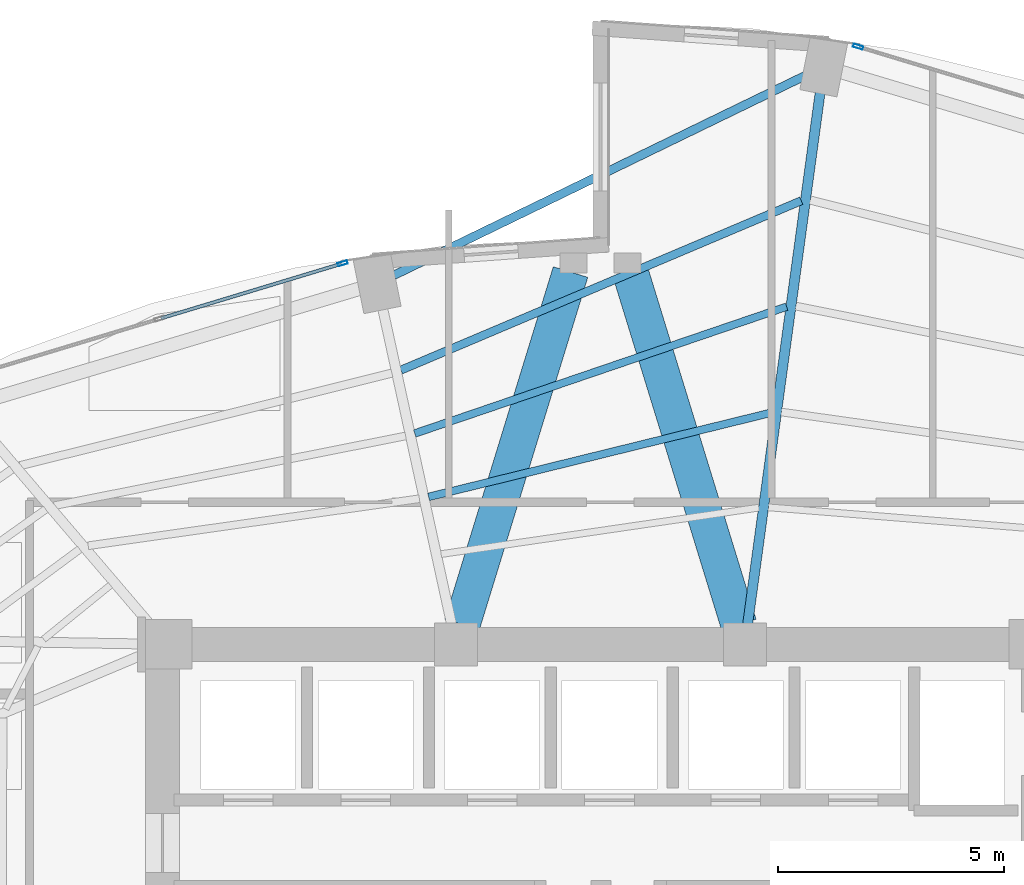
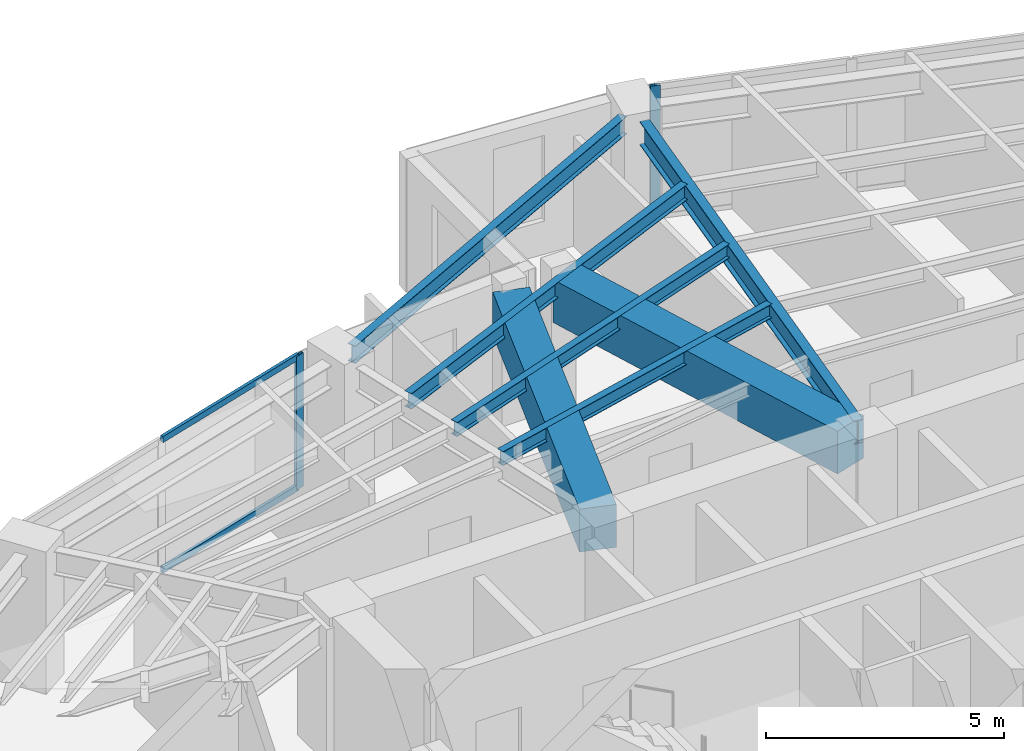
# One storey, part 15 of 23: 7 beams, 4 members, 2 elements without a shape of their own.
"""IFC4 building model written with IfcOpenShell, lengths in metres."""

from ifc_helpers import new_model, si_unit, direction, frame, origin, origin_2d, place, context, subcontext, project, spatial, rectangle, hollow_rectangle, i_section, extrude, material, layer, layer_set, material_profile, profile_set, type_object, element, aggregate, save


model = new_model("IFC4")

# Units and contexts
model_context = context("Model", 3, precision=1e-05, world=origin(), true_north=direction((0.0, 1.0)))
body_context = subcontext(model_context, "Body", "Model", "MODEL_VIEW")
ifc_project = project(units=[si_unit("LENGTHUNIT", "METRE"), si_unit("AREAUNIT", "SQUARE_METRE"), si_unit("VOLUMEUNIT", "CUBIC_METRE"), si_unit("PLANEANGLEUNIT", "RADIAN"), si_unit("MASSUNIT", "GRAM", prefix="KILO")], contexts=[model_context])

# Site, building, storey
site_placement = place(None, origin())
site = spatial("IfcSite", under=ifc_project, at=site_placement, CompositionType="ELEMENT")
building_placement = place(site_placement, origin())
building = spatial("IfcBuilding", under=site, at=building_placement, Name="Lazwardi Medical Tower", CompositionType="ELEMENT")
storey_placement = place(building_placement, frame((0.0, 0.0, 89.0400390625)))
storey = spatial("IfcBuildingStorey", under=building, at=storey_placement, Name="L22", CompositionType="ELEMENT", Elevation=89.0400390625)

# Beams
ifc_material_1 = material(Name="Concrete C70/85", Category="concrete")
ifc_material_profile_1 = material_profile(ifc_material_1, rectangle(XDim=0.800048828125, YDim=1.10009765625, at=origin_2d()), Name="RC 800x1100")
ifc_profile_set_1 = profile_set([ifc_material_profile_1], Name="Concrete C70/85")
beam_type_1 = type_object("IfcBeamType", Name="BM-CB-RC1", PredefinedType="LINTEL", material=ifc_profile_set_1)
for number, where, z_axis, x_axis, name in (
    (1, (32.935302734375, 36.039794921875, 2.8779296875), (0.294073251002, 0.955782884888, 0.0), (-0.955782884888, 0.294073251002, 0.0), "Core coupling lintel CB-01 PL1 L22"),
    (2, (39.064697265625, 36.039794921875, 2.8779296875), (-0.294073251002, 0.955782884888, 0.0), (-0.955782884888, -0.294073251002, 0.0), "Core coupling lintel CB-01 PL2 L22"),
):
    element("IfcBeam", number, at=place(storey_placement, frame(where, z_axis=z_axis, x_axis=x_axis)), inside=storey, type_object=beam_type_1, Name=name, PredefinedType="LINTEL", context=body_context, shape_type="SweptSolid", body=[
        extrude(rectangle(XDim=0.800048828125, YDim=1.10009765625, at=origin_2d()), origin(), (0.0, 0.0, 1.0), 8.1708984375),
    ])
ifc_material_2 = material(Name="Steel S355", Category="steel")
ifc_material_profile_2 = material_profile(ifc_material_2, i_section(OverallWidth=0.219970703125, OverallDepth=0.60009765625, WebThickness=0.011962890625, FlangeThickness=0.01904296875, at=origin_2d()), Name="IPE 600")
ifc_profile_set_2 = profile_set([ifc_material_profile_2], Name="Steel S355")
beam_type_2 = type_object("IfcBeamType", Name="BM-RG-W1", PredefinedType="BEAM", material=ifc_profile_set_2)
beam_1_placement = place(storey_placement, frame((40.8671875, 47.82275390625, 3.1279296875), z_axis=(-0.135147148002, -0.990825538825, 0.0), x_axis=(0.990825538825, -0.135147148002, 0.0)))
element("IfcBeam", 3, at=beam_1_placement, inside=storey, type_object=beam_type_2, Name="Radial girder RG-02 R08 L22", PredefinedType="BEAM", context=body_context, shape_type="SweptSolid", body=[
    extrude(i_section(OverallWidth=0.219970703125, OverallDepth=0.60009765625, WebThickness=0.011962890625, FlangeThickness=0.01904296875, at=origin_2d()), origin(), (0.0, 0.0, 1.0), 11.875732421875),
])
ifc_material_profile_3 = material_profile(ifc_material_2, i_section(OverallWidth=0.179931640625, OverallDepth=0.39990234375, WebThickness=0.008544921875, FlangeThickness=0.013427734375, at=origin_2d()), Name="IPE 400")
ifc_profile_set_3 = profile_set([ifc_material_profile_3], Name="Steel S355")
beam_type_3 = type_object("IfcBeamType", Name="BM-SJ-01", PredefinedType="JOIST", material=ifc_profile_set_3)
beam_2_placement = place(storey_placement, frame((40.449462890625, 45.428466796875, 3.22802734375), z_axis=(-0.920947307957, -0.389687125739, 0.0), x_axis=(0.389687125739, -0.920947307957, 0.0)))
element("IfcBeam", 4, at=beam_2_placement, inside=storey, type_object=beam_type_3, Name="Secondary joist SJ-01 R1 B08 L22", PredefinedType="JOIST", context=body_context, shape_type="SweptSolid", body=[
    extrude(i_section(OverallWidth=0.179931640625, OverallDepth=0.39990234375, WebThickness=0.008544921875, FlangeThickness=0.013427734375, at=origin_2d()), origin(), (0.0, 0.0, 1.0), 9.63134765625),
])
ifc_material_profile_4 = material_profile(ifc_material_2, i_section(OverallWidth=0.169921875, OverallDepth=0.360107421875, WebThickness=0.008056640625, FlangeThickness=0.0126953125, at=origin_2d()), Name="IPE 360")
ifc_profile_set_4 = profile_set([ifc_material_profile_4], Name="Steel S355")
beam_type_4 = type_object("IfcBeamType", Name="BM-SJ-02", PredefinedType="JOIST", material=ifc_profile_set_4)
beam_3_placement = place(storey_placement, frame((40.125732421875, 43.08203125, 3.248046875), z_axis=(-0.946467154368, -0.322800132749, 0.0), x_axis=(0.322800132749, -0.946467154368, 0.0)))
element("IfcBeam", 5, at=beam_3_placement, inside=storey, type_object=beam_type_4, Name="Secondary joist SJ-02 R2 B08 L22", PredefinedType="JOIST", context=body_context, shape_type="SweptSolid", body=[
    extrude(i_section(OverallWidth=0.169921875, OverallDepth=0.360107421875, WebThickness=0.008056640625, FlangeThickness=0.0126953125, at=origin_2d()), origin(), (0.0, 0.0, 1.0), 8.70458984375),
])
beam_4_placement = place(storey_placement, frame((39.80224609375, 40.737548828125, 3.248046875), z_axis=(-0.97107737879, -0.238764998276, 0.0), x_axis=(0.238764998276, -0.97107737879, 0.0)))
element("IfcBeam", 6, at=beam_4_placement, inside=storey, type_object=beam_type_4, Name="Secondary joist SJ-02 R3 B08 L22", PredefinedType="JOIST", context=body_context, shape_type="SweptSolid", body=[
    extrude(i_section(OverallWidth=0.169921875, OverallDepth=0.360107421875, WebThickness=0.008056640625, FlangeThickness=0.0126953125, at=origin_2d()), origin(), (0.0, 0.0, 1.0), 7.83447265625),
])
ifc_material_profile_5 = material_profile(ifc_material_2, i_section(OverallWidth=0.18994140625, OverallDepth=0.449951171875, WebThickness=0.009521484375, FlangeThickness=0.0146484375, at=origin_2d()), Name="IPE 450")
ifc_profile_set_5 = profile_set([ifc_material_profile_5], Name="Steel S355")
beam_type_5 = type_object("IfcBeamType", Name="BM-SP-01", PredefinedType="SPANDREL", material=ifc_profile_set_5)
beam_5_placement = place(storey_placement, frame((40.57666015625, 48.218505859375, 3.202880859375), z_axis=(-0.899653336227, -0.436604941125, 0.0), x_axis=(0.436604941125, -0.899653336227, 0.0)))
element("IfcBeam", 7, at=beam_5_placement, inside=storey, type_object=beam_type_5, Name="Spandrel beam SP-01 B08 L22", PredefinedType="SPANDREL", context=body_context, shape_type="SweptSolid", body=[
    extrude(i_section(OverallWidth=0.18994140625, OverallDepth=0.449951171875, WebThickness=0.009521484375, FlangeThickness=0.0146484375, at=origin_2d()), origin(), (0.0, 0.0, 1.0), 10.17431640625),
])

# Curtain wall, member
ifc_material_3 = material(Name="Anodised bronze aluminium and solar control glazing", Category="aluminium")
ifc_layer = layer(ifc_material_3, 0.195068359375)
ifc_layer_set = layer_set([ifc_layer], Name="Anodised bronze aluminium and solar control glazing")
curtain_wall_type = type_object("IfcCurtainWallType", Name="CW-SYS-03", PredefinedType="NOTDEFINED", material=ifc_layer_set)
curtain_wall_1_placement = place(storey_placement, origin())
curtain_wall_1 = element("IfcCurtainWall", 8, at=curtain_wall_1_placement, inside=storey, type_object=curtain_wall_type, Name="L22 Unitised bronze curtain wall CW-03", PredefinedType="NOTDEFINED")
ifc_material_4 = material(Name="Anodised bronze aluminium", Category="aluminium")
ifc_material_profile_6 = material_profile(ifc_material_4, hollow_rectangle(XDim=0.074951171875, YDim=0.219970703125, WallThickness=0.00390625, at=origin_2d()), Name="ALU-MULLION 220x75x4")
ifc_profile_set_6 = profile_set([ifc_material_profile_6], Name="Anodised bronze aluminium")
member_type_1 = type_object("IfcMemberType", Name="CW-MUL-01", PredefinedType="MULLION", material=ifc_profile_set_6)
member_1_placement = place(storey_placement, frame((41.710205078125, 48.840087890625, 0.0), z_axis=(0.0, 0.0, 1.0), x_axis=(-0.28937381157, -0.957216170558, 0.0)))
member_1 = element("IfcMember", 9, at=member_1_placement, type_object=member_type_1, Name="CW-03 mullion 3", PredefinedType="MULLION", context=body_context, shape_type="SweptSolid", body=[
    extrude(hollow_rectangle(XDim=0.074951171875, YDim=0.219970703125, WallThickness=0.00390625, at=origin_2d()), origin(), (0.0, 0.0, 1.0), 3.427978515625),
])
aggregate(curtain_wall_1, [member_1])

# Curtain wall, members
curtain_wall_2_placement = place(storey_placement, origin())
curtain_wall_2 = element("IfcCurtainWall", 10, at=curtain_wall_2_placement, inside=storey, type_object=curtain_wall_type, Name="L22 Unitised bronze curtain wall CW-03", PredefinedType="NOTDEFINED")
member_2_placement = place(storey_placement, frame((30.289794921875, 44.0400390625, 0.0), z_axis=(0.0, 0.0, 1.0), x_axis=(0.28937381157, -0.957216170558, 0.0)))
member_2 = element("IfcMember", 11, at=member_2_placement, type_object=member_type_1, Name="CW-03 mullion 1", PredefinedType="MULLION", context=body_context, shape_type="SweptSolid", body=[
    extrude(hollow_rectangle(XDim=0.074951171875, YDim=0.219970703125, WallThickness=0.00390625, at=origin_2d()), origin(), (0.0, 0.0, 1.0), 3.427978515625),
])
ifc_material_profile_7 = material_profile(ifc_material_4, hollow_rectangle(XDim=0.074951171875, YDim=0.159912109375, WallThickness=0.00390625, at=origin_2d()), Name="ALU-TRANSOM 160x75x4")
ifc_profile_set_7 = profile_set([ifc_material_profile_7], Name="Anodised bronze aluminium")
member_type_2 = type_object("IfcMemberType", Name="CW-TRN-01", PredefinedType="USERDEFINED", material=ifc_profile_set_7)
member_3_placement = place(storey_placement, frame((30.25390625, 44.029296875, 0.037353515625), z_axis=(-0.957220865985, -0.289358279168, 0.0), x_axis=(0.289358279168, -0.957220865985, 0.0)))
member_3 = element("IfcMember", 12, at=member_3_placement, type_object=member_type_2, Name="CW-03 transom 1.1", ObjectType="TRANSOM", PredefinedType="USERDEFINED", context=body_context, shape_type="SweptSolid", body=[
    extrude(hollow_rectangle(XDim=0.074951171875, YDim=0.159912109375, WallThickness=0.00390625, at=origin_2d()), origin(), (0.0, 0.0, 1.0), 4.16552734375),
])
member_4_placement = place(storey_placement, frame((30.25390625, 44.029296875, 3.390380859375), z_axis=(-0.957220865985, -0.289358279168, 0.0), x_axis=(0.289358279168, -0.957220865985, 0.0)))
member_4 = element("IfcMember", 13, at=member_4_placement, type_object=member_type_2, Name="CW-03 transom 1.2", ObjectType="TRANSOM", PredefinedType="USERDEFINED", context=body_context, shape_type="SweptSolid", body=[
    extrude(hollow_rectangle(XDim=0.074951171875, YDim=0.159912109375, WallThickness=0.00390625, at=origin_2d()), origin(), (0.0, 0.0, 1.0), 4.16552734375),
])
aggregate(curtain_wall_2, [member_2, member_3, member_4])

save(model, "model.ifc")
